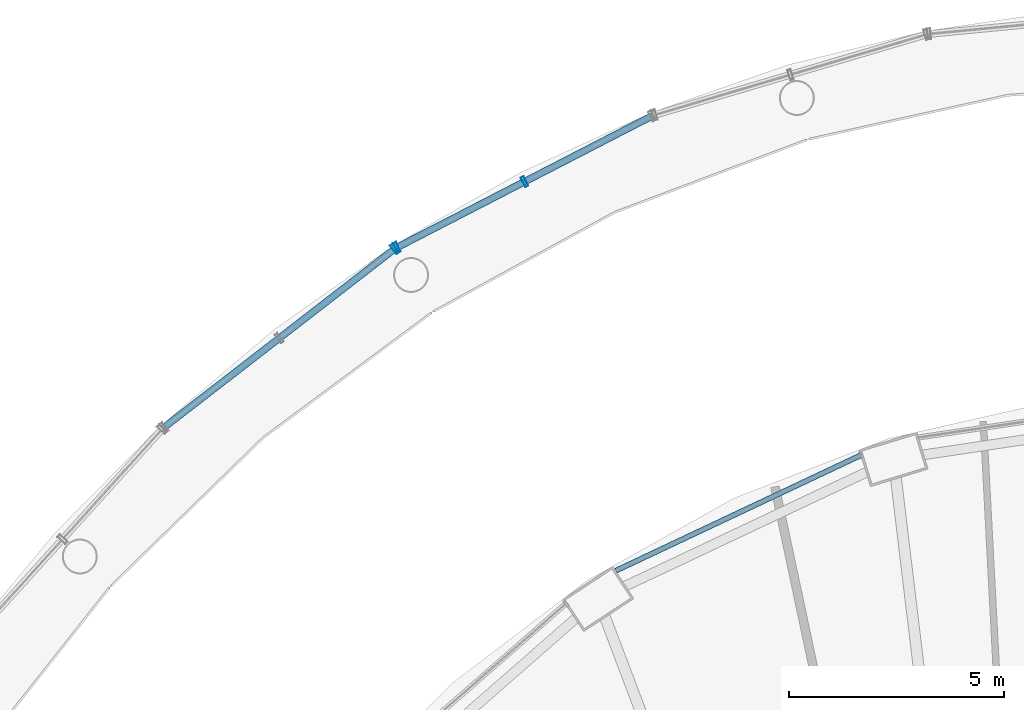
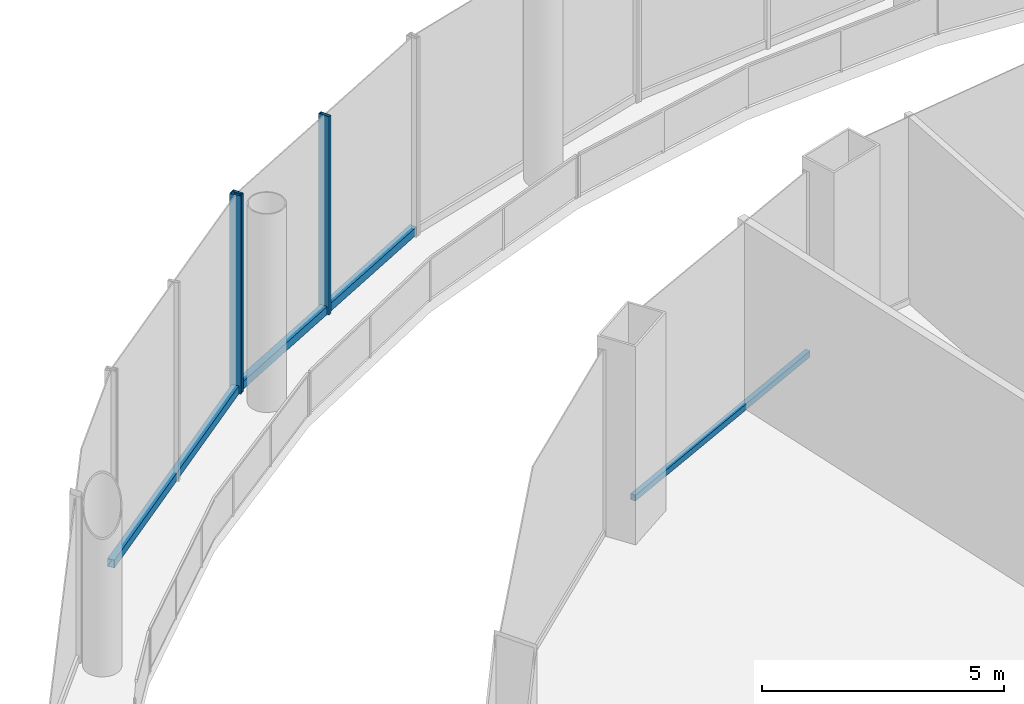
# One storey, part 31 of 48: 6 members, 3 elements without a shape of their own.
"""IFC4 building model written with IfcOpenShell, lengths in metres."""

from ifc_helpers import new_model, si_unit, direction, frame, origin, origin_2d, place, context, subcontext, project, spatial, hollow_rectangle, extrude, material, layer, layer_set, material_profile, profile_set, type_object, element, aggregate, save


model = new_model("IFC4")

# Units and contexts
model_context = context("Model", 3, precision=1e-05, world=origin(), true_north=direction((0.0, 1.0)))
body_context = subcontext(model_context, "Body", "Model", "MODEL_VIEW")
ifc_project = project(units=[si_unit("LENGTHUNIT", "METRE"), si_unit("AREAUNIT", "SQUARE_METRE"), si_unit("VOLUMEUNIT", "CUBIC_METRE"), si_unit("PLANEANGLEUNIT", "RADIAN"), si_unit("MASSUNIT", "GRAM", prefix="KILO")], contexts=[model_context])

# Site, building, storey
site_placement = place(None, origin())
site = spatial("IfcSite", under=ifc_project, at=site_placement, CompositionType="ELEMENT")
building_placement = place(site_placement, origin())
building = spatial("IfcBuilding", under=site, at=building_placement, Name="Nagisa Residences", CompositionType="ELEMENT")
storey_placement = place(building_placement, frame((0.0, 0.0, 12.0)))
storey = spatial("IfcBuildingStorey", under=building, at=storey_placement, Name="L02", CompositionType="ELEMENT", Elevation=12.0)

# Curtain wall, members
ifc_material_1 = material(Name="Stainless steel curtain wall system", Category="steel")
ifc_layer_1 = layer(ifc_material_1, 0.159912109375)
ifc_layer_set_1 = layer_set([ifc_layer_1], Name="CW3 CURTAIN WALL")
curtain_wall_type_1 = type_object("IfcCurtainWallType", Name="CW3 CURTAIN WALL", PredefinedType="NOTDEFINED", material=ifc_layer_set_1)
curtain_wall_1_placement = place(storey_placement, origin())
curtain_wall_1 = element("IfcCurtainWall", 1, at=curtain_wall_1_placement, inside=storey, type_object=curtain_wall_type_1, Name="cw:CW3:L02:11", PredefinedType="NOTDEFINED")
ifc_material_2 = material(Name="Stainless steel", Category="steel")
ifc_material_profile_1 = material_profile(ifc_material_2, hollow_rectangle(XDim=0.25, YDim=0.080078125, WallThickness=0.008056640625, at=origin_2d()), Name="CW3 MULLION 250x80")
ifc_profile_set_1 = profile_set([ifc_material_profile_1], Name="Stainless steel")
member_type_1 = type_object("IfcMemberType", Name="CW3 MULLION 250x80", PredefinedType="MULLION", material=ifc_profile_set_1)
member_1_placement = place(storey_placement, frame((-12.36181640625, 37.848876953125, 0.0), z_axis=(0.0, 0.0, 1.0), x_axis=(0.45812598783, -0.888887270285, 0.0)))
member_1 = element("IfcMember", 2, at=member_1_placement, type_object=member_type_1, Name="CW3 mullion", PredefinedType="MULLION", context=body_context, shape_type="SweptSolid", body=[
    extrude(hollow_rectangle(XDim=0.25, YDim=0.080078125, WallThickness=0.008056640625, at=origin_2d()), origin(), (0.0, 0.0, 1.0), 5.0),
])
member_2_placement = place(storey_placement, frame((-15.327880859375, 36.3203125, 0.0), z_axis=(0.0, 0.0, 1.0), x_axis=(0.45812598783, -0.888887270285, 0.0)))
member_2 = element("IfcMember", 3, at=member_2_placement, type_object=member_type_1, Name="CW3 mullion", PredefinedType="MULLION", context=body_context, shape_type="SweptSolid", body=[
    extrude(hollow_rectangle(XDim=0.25, YDim=0.080078125, WallThickness=0.008056640625, at=origin_2d()), origin(), (0.0, 0.0, 1.0), 5.0),
])

# Curtain wall, member
curtain_wall_2_placement = place(storey_placement, origin())
curtain_wall_2 = element("IfcCurtainWall", 4, at=curtain_wall_2_placement, inside=storey, type_object=curtain_wall_type_1, Name="cw:CW3:L02:12", PredefinedType="NOTDEFINED")
member_3_placement = place(storey_placement, frame((-15.382568359375, 36.285400390625, 0.0), z_axis=(0.0, 0.0, 1.0), x_axis=(0.612034757172, -0.790830864353, 0.0)))
member_3 = element("IfcMember", 5, at=member_3_placement, type_object=member_type_1, Name="CW3 mullion", PredefinedType="MULLION", context=body_context, shape_type="SweptSolid", body=[
    extrude(hollow_rectangle(XDim=0.25, YDim=0.080078125, WallThickness=0.008056640625, at=origin_2d()), origin(), (0.0, 0.0, 1.0), 5.0),
])

# Member
ifc_material_3 = material(Name="Stainless steel", Category="steel")
ifc_material_profile_2 = material_profile(ifc_material_3, hollow_rectangle(XDim=0.159912109375, YDim=0.199951171875, WallThickness=0.008056640625, at=origin_2d()), Name="CW3 TRANSOM 160x200")
ifc_profile_set_2 = profile_set([ifc_material_profile_2], Name="Stainless steel")
member_type_2 = type_object("IfcMemberType", Name="CW3 TRANSOM 160x200", PredefinedType="USERDEFINED", material=ifc_profile_set_2)
member_4_placement = place(storey_placement, frame((-9.360107421875, 39.39599609375, 0.10009765625), z_axis=(-0.888887130152, -0.458126259726, 0.0), x_axis=(0.458126259726, -0.888887130152, 0.0)))
member_4 = element("IfcMember", 6, at=member_4_placement, type_object=member_type_2, Name="CW3 transom", ObjectType="TRANSOM", PredefinedType="USERDEFINED", context=body_context, shape_type="SweptSolid", body=[
    extrude(hollow_rectangle(XDim=0.159912109375, YDim=0.199951171875, WallThickness=0.008056640625, at=origin_2d()), origin(), (0.0, 0.0, 1.0), 6.753662109375),
])

aggregate(curtain_wall_1, [member_1, member_2, member_4])

member_5_placement = place(storey_placement, frame((-15.35107421875, 36.309814453125, 0.10009765625), z_axis=(-0.790821490188, -0.612046869656, 0.0), x_axis=(0.612046869656, -0.790821490188, 0.0)))
member_5 = element("IfcMember", 7, at=member_5_placement, type_object=member_type_2, Name="CW3 transom", ObjectType="TRANSOM", PredefinedType="USERDEFINED", context=body_context, shape_type="SweptSolid", body=[
    extrude(hollow_rectangle(XDim=0.159912109375, YDim=0.199951171875, WallThickness=0.008056640625, at=origin_2d()), origin(), (0.0, 0.0, 1.0), 6.86083984375),
])

aggregate(curtain_wall_2, [member_3, member_5])

# Curtain wall, member
ifc_material_4 = material(Name="Stainless steel curtain wall system", Category="steel")
ifc_layer_2 = layer(ifc_material_4, 0.159912109375)
ifc_layer_set_2 = layer_set([ifc_layer_2], Name="CW6 CURTAIN WALL")
curtain_wall_type_2 = type_object("IfcCurtainWallType", Name="CW6 CURTAIN WALL", PredefinedType="NOTDEFINED", material=ifc_layer_set_2)
curtain_wall_3_placement = place(storey_placement, origin())
curtain_wall_3 = element("IfcCurtainWall", 8, at=curtain_wall_3_placement, inside=storey, type_object=curtain_wall_type_2, Name="cw:CW6:L02:14", PredefinedType="NOTDEFINED")
ifc_material_5 = material(Name="Stainless steel", Category="steel")
ifc_material_profile_3 = material_profile(ifc_material_5, hollow_rectangle(XDim=0.1201171875, YDim=0.14990234375, WallThickness=0.008056640625, at=origin_2d()), Name="CW6 TRANSOM 120x150")
ifc_profile_set_3 = profile_set([ifc_material_profile_3], Name="Stainless steel")
member_type_3 = type_object("IfcMemberType", Name="CW6 TRANSOM 120x150", PredefinedType="USERDEFINED", material=ifc_profile_set_3)
member_6_placement = place(storey_placement, frame((-4.5048828125, 31.504638671875, 0.074951171875), z_axis=(-0.904558144684, -0.426350281911, 0.0), x_axis=(0.426350281911, -0.904558144684, 0.0)))
member_6 = element("IfcMember", 9, at=member_6_placement, type_object=member_type_3, Name="CW6 transom", ObjectType="TRANSOM", PredefinedType="USERDEFINED", context=body_context, shape_type="SweptSolid", body=[
    extrude(hollow_rectangle(XDim=0.1201171875, YDim=0.14990234375, WallThickness=0.008056640625, at=origin_2d()), origin(), (0.0, 0.0, 1.0), 6.33203125),
])
aggregate(curtain_wall_3, [member_6])

save(model, "model.ifc")
